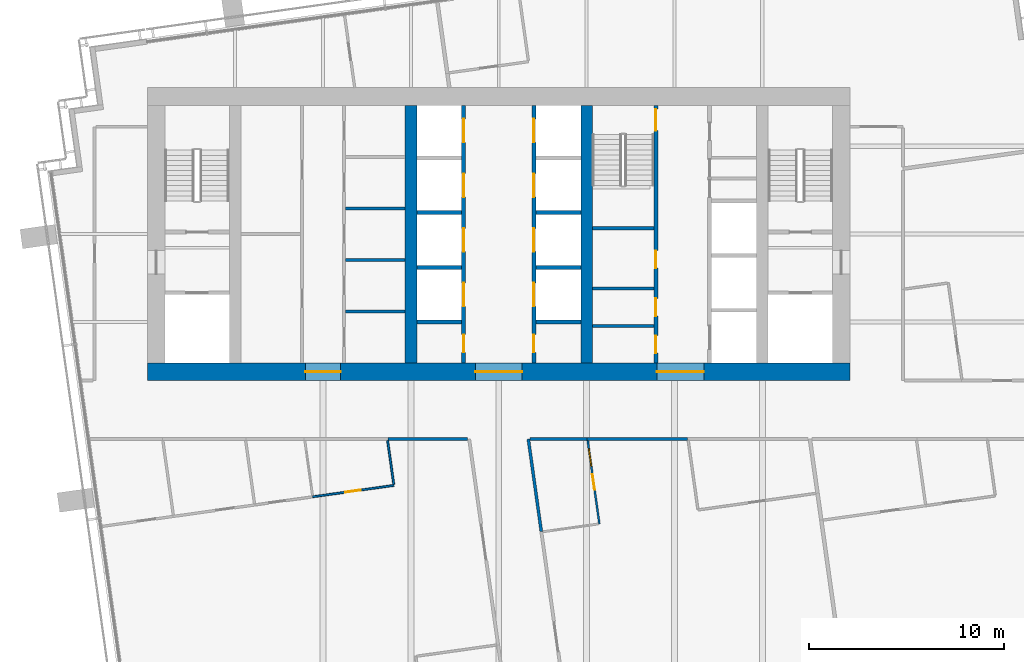
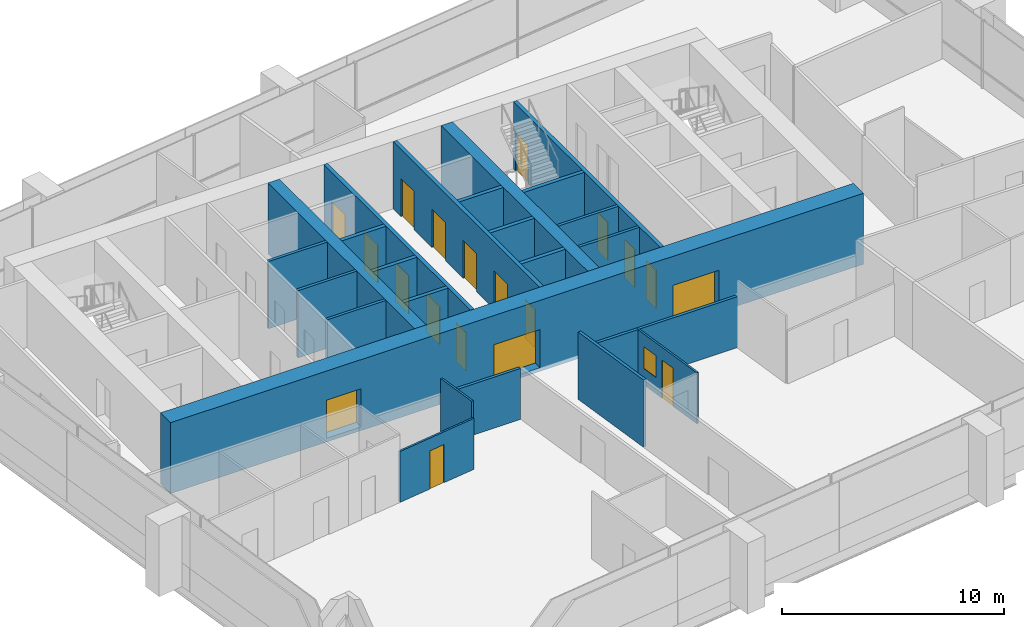
# One storey, part 10 of 18: 25 walls, 19 doors, 1 window, 20 openings.
"""IFC4 building model written with IfcOpenShell, lengths in metres."""

import ifcopenshell
import ifcopenshell.guid

model = None  # the IFC model being written
_history = None  # IfcOwnerHistory: only IFC2X3 demands one
_inside = {}  # id of a spatial element -> (the spatial element, [elements in it])
_under = {}  # id of a project, library or spatial element -> (it, [spatial elements below it])
_declared = {}  # id of a project -> (the project, [libraries it declares])
_typed = {}  # id of a type object -> (the type object, [elements of that type])
_made_of = {}  # id of a material, layer set ... -> (it, [elements and type objects made of it])


def new_model(schema):
    """Start an empty IFC model of exactly this schema.

    Asked for "IFC4X3", IfcOpenShell would pick the latest addendum, in which some entities
    have other attributes; the version numbers below select the first issue.
    IFC2X3 requires an IfcOwnerHistory on every rooted entity: one is made here for all.
    """
    global model, _history
    if schema == "IFC4X3":
        model = ifcopenshell.file(schema_version=(4, 3, 0, 0))
    else:
        model = ifcopenshell.file(schema=schema)
    _inside.clear()
    _under.clear()
    _declared.clear()
    _typed.clear()
    _made_of.clear()
    _history = None
    if model.schema == "IFC2X3":
        org = make("IfcOrganization", Name="unknown")
        user = make(
            "IfcPersonAndOrganization",
            ThePerson=make("IfcPerson", FamilyName="unknown"),
            TheOrganization=org,
        )
        app = make(
            "IfcApplication",
            ApplicationDeveloper=org,
            Version="unknown",
            ApplicationFullName="unknown",
            ApplicationIdentifier="unknown",
        )
        _history = make(
            "IfcOwnerHistory",
            OwningUser=user,
            OwningApplication=app,
            ChangeAction="ADDED",
            CreationDate=0,
        )
    return model


def make(cls, **values):
    """One entity of the class cls with the attributes given. An attribute that is None is left unset."""
    return model.create_entity(
        cls, **{name: value for name, value in values.items() if value is not None}
    )


def rooted(cls, **values):
    """An entity with a GlobalId (a new one), such as an element, a storey or a relation."""
    return make(cls, GlobalId=ifcopenshell.guid.new(), OwnerHistory=_history, **values)


def si_unit(unit_type, name, prefix=None):
    """IfcSIUnit, for example si_unit("LENGTHUNIT", "METRE", prefix="MILLI")."""
    return make("IfcSIUnit", UnitType=unit_type, Prefix=prefix, Name=name)


def assignment(units):
    """IfcUnitAssignment: the units of a project."""
    return None if units is None else make("IfcUnitAssignment", Units=units)


def point(xyz):
    """IfcCartesianPoint."""
    return None if xyz is None else make("IfcCartesianPoint", Coordinates=xyz)


def direction(xyz):
    """IfcDirection."""
    return None if xyz is None else make("IfcDirection", DirectionRatios=xyz)


def frame(location, z_axis=None, x_axis=None):
    """IfcAxis2Placement3D, a coordinate frame: its origin and axes. An axis left out is left unset."""
    return make(
        "IfcAxis2Placement3D",
        Location=point(location),
        Axis=direction(z_axis),
        RefDirection=direction(x_axis),
    )


def frame_2d(location, x_axis=None):
    """IfcAxis2Placement2D, a coordinate frame in the plane: its origin and x axis."""
    return make(
        "IfcAxis2Placement2D", Location=point(location), RefDirection=direction(x_axis)
    )


def origin():
    """The frame at (0, 0, 0) with its axes left unset."""
    return frame((0.0, 0.0, 0.0))


def place(relative_to, where):
    """IfcLocalPlacement: puts the frame where relative to a parent placement (None: the world)."""
    return make(
        "IfcLocalPlacement", PlacementRelTo=relative_to, RelativePlacement=where
    )


def context(
    kind, dimensions, precision=None, world=None, true_north=None, identifier=None
):
    """IfcGeometricRepresentationContext, for example the 3D "Model" context."""
    return make(
        "IfcGeometricRepresentationContext",
        ContextIdentifier=identifier,
        ContextType=kind,
        CoordinateSpaceDimension=dimensions,
        Precision=precision,
        WorldCoordinateSystem=world,
        TrueNorth=true_north,
    )


def subcontext(parent, identifier, kind, view, scale=None):
    """IfcGeometricRepresentationSubContext, for example "Body" below "Model"."""
    return make(
        "IfcGeometricRepresentationSubContext",
        ContextIdentifier=identifier,
        ContextType=kind,
        ParentContext=parent,
        TargetScale=scale,
        TargetView=view,
    )


def project(units=None, contexts=None):
    """IfcProject with its units and contexts."""
    return rooted(
        "IfcProject",
        Name="project",
        RepresentationContexts=contexts,
        UnitsInContext=assignment(units),
    )


def spatial(cls, under=None, at=None, **own):
    """A site, building, storey or space (cls), placed at a placement, below another one or the project."""
    s = rooted(cls, ObjectPlacement=at, **own)
    if under is not None:
        _under.setdefault(under.id(), (under, []))[1].append(s)
    return s


def profile(cls, at=None, kind="AREA", **sizes):
    """A parametric profile (cls). Its sizes go by their IFC names, for example OverallWidth=200.0."""
    return make(cls, ProfileType=kind, Position=at, **sizes)


def rectangle(**sizes):
    """IfcRectangleProfileDef."""
    return profile("IfcRectangleProfileDef", **sizes)


def extrude(swept, where, along, depth):
    """IfcExtrudedAreaSolid: the profile swept, set in the frame where, extruded along a direction by depth."""
    return make(
        "IfcExtrudedAreaSolid",
        SweptArea=swept,
        Position=where,
        ExtrudedDirection=direction(along),
        Depth=depth,
    )


def shape(context_of_items, identifier, shape_type, items):
    """IfcShapeRepresentation: the items that make up one representation, for example the "Body"."""
    return make(
        "IfcShapeRepresentation",
        ContextOfItems=context_of_items,
        RepresentationIdentifier=identifier,
        RepresentationType=shape_type,
        Items=items,
    )


def material(Name=None, Category=None):
    """IfcMaterial."""
    return make("IfcMaterial", Name=Name, Category=Category)


def layer(
    of_material, thickness, ventilated=None, Name=None, Category=None, Priority=None
):
    """IfcMaterialLayer: one layer of a wall or slab, of a material (None: an air gap)."""
    return make(
        "IfcMaterialLayer",
        Material=of_material,
        LayerThickness=thickness,
        IsVentilated=ventilated,
        Name=Name,
        Category=Category,
        Priority=Priority,
    )


def layer_set(layers, Name=None):
    """IfcMaterialLayerSet."""
    return make("IfcMaterialLayerSet", MaterialLayers=layers, LayerSetName=Name)


def made_of(thing, what):
    """Note that an element or type object is made of a material, layer set ...; save() writes the relation."""
    if what is not None:
        _made_of.setdefault(what.id(), (what, []))[1].append(thing)
    return thing


def type_object(cls, material=None, **own):
    """A type object (cls), such as IfcWallType, which elements share."""
    return made_of(rooted(cls, **own), material)


def element(
    cls,
    number,
    at=None,
    inside=None,
    cuts=None,
    type_object=None,
    material=None,
    context=None,
    identifier="Body",
    shape_type=None,
    held_by="IfcProductDefinitionShape",
    body=None,
    shapes=None,
    **own,
):
    """One element of the class cls, such as IfcWall. Its Tag is "e" and its number.

    at: its placement. inside: the storey or other place that contains it. cuts: it is an
    opening in that element (IfcRelVoidsElement). A single representation is given by context,
    identifier, shape_type and body (its items); several are given by shapes. held_by: the class
    of the entity that holds the representations. save() writes the other relations.
    """
    e = rooted(cls, Tag="e%d" % number, ObjectPlacement=at, **own)
    if body is not None:
        shapes = [shape(context, identifier, shape_type, body)]
    if shapes is not None:
        e.Representation = make(held_by, Representations=shapes)
    if inside is not None:
        _inside.setdefault(inside.id(), (inside, []))[1].append(e)
    if cuts is not None:
        rooted(
            "IfcRelVoidsElement", RelatingBuildingElement=cuts, RelatedOpeningElement=e
        )
    if type_object is not None:
        _typed.setdefault(type_object.id(), (type_object, []))[1].append(e)
    return made_of(e, material)


def fill(opening, filler):
    """IfcRelFillsElement: the door or window that sits in an opening."""
    return rooted(
        "IfcRelFillsElement",
        RelatingOpeningElement=opening,
        RelatedBuildingElement=filler,
    )


def aggregate(whole, parts):
    """IfcRelAggregates: a whole, such as a stair, and the parts it consists of."""
    return rooted("IfcRelAggregates", RelatingObject=whole, RelatedObjects=parts)


def save(model, path):
    """Write the relations noted so far, then the file.

    IfcRelAggregates (storeys below a building ...), IfcRelContainedInSpatialStructure (elements
    in a storey), IfcRelDefinesByType, IfcRelAssociatesMaterial and IfcRelDeclares: one each for
    every whole, place, type object, material and project.
    """
    for whole, parts in _under.values():
        aggregate(whole, parts)
    for where, things in _inside.values():
        rooted(
            "IfcRelContainedInSpatialStructure",
            RelatedElements=things,
            RelatingStructure=where,
        )
    for kind, things in _typed.values():
        rooted("IfcRelDefinesByType", RelatedObjects=things, RelatingType=kind)
    for what, things in _made_of.values():
        rooted("IfcRelAssociatesMaterial", RelatedObjects=things, RelatingMaterial=what)
    for by, libraries in _declared.values():
        rooted("IfcRelDeclares", RelatingContext=by, RelatedDefinitions=libraries)
    model.write(path)


model = new_model("IFC4")

# Units and contexts
model_context = context("Model", 3, precision=1e-05, world=origin(), true_north=direction((0.0, 1.0)))
body_context = subcontext(model_context, "Body", "Model", "MODEL_VIEW")
ifc_project = project(units=[si_unit("LENGTHUNIT", "METRE"), si_unit("AREAUNIT", "SQUARE_METRE"), si_unit("VOLUMEUNIT", "CUBIC_METRE"), si_unit("PLANEANGLEUNIT", "RADIAN"), si_unit("MASSUNIT", "GRAM", prefix="KILO")], contexts=[model_context])

# Site, building, storey
site_placement = place(None, origin())
site = spatial("IfcSite", under=ifc_project, at=site_placement, CompositionType="ELEMENT")
building_placement = place(site_placement, origin())
building = spatial("IfcBuilding", under=site, at=building_placement, Name="Rattan Terrace Tower", CompositionType="ELEMENT")
storey_placement = place(building_placement, frame((0.0, 0.0, 233.0)))
storey = spatial("IfcBuildingStorey", under=building, at=storey_placement, Name="L53", CompositionType="ELEMENT", Elevation=233.0)

# Walls
ifc_material_1 = material(Name="Gypsum board partition")
ifc_layer_1 = layer(ifc_material_1, 0.14990234375)
ifc_layer_set_1 = layer_set([ifc_layer_1], Name="Core partition 150")
wall_type_1 = type_object("IfcWallType", Name="Core partition 150", PredefinedType="PARTITIONING", material=ifc_layer_set_1)
for number, where, z_axis, x_axis, name in (
    (1, (-7.85009765625, -3.9599609375, 0.0), (0.0, 0.0, 1.0), (1.0, 0.0, 0.0), "Core room wall"),
    (2, (-7.85009765625, -1.320068359375, 0.0), (0.0, 0.0, 1.0), (1.0, 0.0, 0.0), "Core room wall"),
    (3, (-7.85009765625, 1.320068359375, 0.0), (0.0, 0.0, 1.0), (1.0, 0.0, 0.0), "Core room wall"),
):
    element("IfcWall", number, at=place(storey_placement, frame(where, z_axis=z_axis, x_axis=x_axis)), inside=storey, type_object=wall_type_1, Name=name, PredefinedType="PARTITIONING", context=body_context, shape_type="SweptSolid", body=[
        extrude(rectangle(XDim=3.050048828125, YDim=0.14990234375, at=frame_2d((1.52490234375, 0.0))), origin(), (0.0, 0.0, 1.0), 3.699951171875),
    ])
for number, where, z_axis, x_axis, name in (
    (4, (4.800048828125, -4.696044921875, 0.0), (0.0, 0.0, 1.0), (1.0, 0.0, 0.0), "Toilet wall"),
    (5, (4.800048828125, -2.7919921875, 0.0), (0.0, 0.0, 1.0), (1.0, 0.0, 0.0), "Toilet wall"),
):
    element("IfcWall", number, at=place(storey_placement, frame(where, z_axis=z_axis, x_axis=x_axis)), inside=storey, type_object=wall_type_1, Name=name, PredefinedType="PARTITIONING", context=body_context, shape_type="SweptSolid", body=[
        extrude(rectangle(XDim=3.14990234375, YDim=0.14990234375, at=frame_2d((1.574951171875, 0.0))), origin(), (0.0, 0.0, 1.0), 3.699951171875),
    ])

# Wall, openings, doors
ifc_material_2 = material(Name="Gypsum board partition")
ifc_layer_2 = layer(ifc_material_2, 0.199951171875)
ifc_layer_set_2 = layer_set([ifc_layer_2], Name="Core partition 200")
wall_type_2 = type_object("IfcWallType", Name="Core partition 200", PredefinedType="PARTITIONING", material=ifc_layer_set_2)
wall_1_placement = place(storey_placement, frame((8.050048828125, -6.60009765625, 0.0), z_axis=(0.0, 0.0, 1.0), x_axis=(0.0, 1.0, 0.0)))
wall_1 = element("IfcWall", 6, at=wall_1_placement, inside=storey, type_object=wall_type_2, Name="Lobby wall west", PredefinedType="PARTITIONING", context=body_context, shape_type="SweptSolid", body=[
    extrude(rectangle(XDim=13.2001953125, YDim=0.199951171875, at=frame_2d((6.60009765625, 0.0))), origin(), (0.0, 0.0, 1.0), 3.699951171875),
])
opening_1_placement = place(wall_1_placement, frame((0.501953125, 0.0, 0.0)))
opening_1 = element("IfcOpeningElement", 7, at=opening_1_placement, cuts=wall_1, Name="Opening L53-D016", PredefinedType="OPENING", context=body_context, shape_type="SweptSolid", body=[
    extrude(rectangle(XDim=0.89990234375, YDim=2.10009765625, at=frame_2d((0.449951171875, 1.050048828125))), frame((0.0, 0.110595703125, 0.0), z_axis=(0.0, -1.0, 0.0), x_axis=(1.0, 0.0, 0.0)), (0.0, 0.0, 1.0), 0.220947265625),
])
opening_2_placement = place(wall_1_placement, frame((2.406005859375, 0.0, 0.0)))
opening_2 = element("IfcOpeningElement", 8, at=opening_2_placement, cuts=wall_1, Name="Opening L53-D017", PredefinedType="OPENING", context=body_context, shape_type="SweptSolid", body=[
    extrude(rectangle(XDim=0.89990234375, YDim=2.10009765625, at=frame_2d((0.449951171875, 1.050048828125))), frame((0.0, 0.110595703125, 0.0), z_axis=(0.0, -1.0, 0.0), x_axis=(1.0, 0.0, 0.0)), (0.0, 0.0, 1.0), 0.220947265625),
])
opening_3_placement = place(wall_1_placement, frame((4.85400390625, 0.0, 0.0)))
opening_3 = element("IfcOpeningElement", 9, at=opening_3_placement, cuts=wall_1, Name="Opening L53-D018", PredefinedType="OPENING", context=body_context, shape_type="SweptSolid", body=[
    extrude(rectangle(XDim=0.89990234375, YDim=2.10009765625, at=frame_2d((0.449951171875, 1.050048828125))), frame((0.0, 0.110595703125, 0.0), z_axis=(0.0, -1.0, 0.0), x_axis=(1.0, 0.0, 0.0)), (0.0, 0.0, 1.0), 0.220947265625),
])
opening_4_placement = place(wall_1_placement, frame((11.89990234375, 0.0, 0.0)))
opening_4 = element("IfcOpeningElement", 10, at=opening_4_placement, cuts=wall_1, Name="Opening L53-D019", PredefinedType="OPENING", context=body_context, shape_type="SweptSolid", body=[
    extrude(rectangle(XDim=1.10009765625, YDim=2.10009765625, at=frame_2d((0.550048828125, 1.050048828125))), frame((0.0, 0.110595703125, 0.0), z_axis=(0.0, -1.0, 0.0), x_axis=(1.0, 0.0, 0.0)), (0.0, 0.0, 1.0), 0.220947265625),
])
ifc_material_3 = material(Name="Hollow-metal fire door leaf")
door_type_1 = type_object("IfcDoorType", Name="Core stair door 1100", OperationType="NOTDEFINED", PredefinedType="DOOR", material=ifc_material_3)
door_1_placement = place(opening_4_placement, origin())
door_1 = element("IfcDoor", 11, at=door_1_placement, inside=storey, type_object=door_type_1, Name="Door L53-D019", OperationType="SINGLE_SWING_RIGHT", OverallHeight=2.10009765625, OverallWidth=1.10009765625, PredefinedType="DOOR", context=body_context, shape_type="SweptSolid", body=[
    extrude(rectangle(XDim=1.10009765625, YDim=2.10009765625, at=frame_2d((0.550048828125, 1.050048828125))), frame((0.0, 0.02490234375, 0.0), z_axis=(0.0, -1.0, 0.0), x_axis=(1.0, 0.0, 0.0)), (0.0, 0.0, 1.0), 0.050048828125),
])
fill(opening_4, door_1)
ifc_material_4 = material(Name="Hollow-metal fire door leaf")
door_type_2 = type_object("IfcDoorType", Name="Core toilet door 900", OperationType="NOTDEFINED", PredefinedType="DOOR", material=ifc_material_4)
door_2_placement = place(opening_1_placement, origin())
door_2 = element("IfcDoor", 12, at=door_2_placement, inside=storey, type_object=door_type_2, Name="Door L53-D016", OperationType="SINGLE_SWING_LEFT", OverallHeight=2.10009765625, OverallWidth=0.89990234375, PredefinedType="DOOR", context=body_context, shape_type="SweptSolid", body=[
    extrude(rectangle(XDim=0.89990234375, YDim=2.10009765625, at=frame_2d((0.449951171875, 1.050048828125))), frame((0.0, 0.02490234375, 0.0), z_axis=(0.0, -1.0, 0.0), x_axis=(1.0, 0.0, 0.0)), (0.0, 0.0, 1.0), 0.050048828125),
])
fill(opening_1, door_2)
door_3_placement = place(opening_2_placement, origin())
door_3 = element("IfcDoor", 13, at=door_3_placement, inside=storey, type_object=door_type_2, Name="Door L53-D017", OperationType="SINGLE_SWING_RIGHT", OverallHeight=2.10009765625, OverallWidth=0.89990234375, PredefinedType="DOOR", context=body_context, shape_type="SweptSolid", body=[
    extrude(rectangle(XDim=0.89990234375, YDim=2.10009765625, at=frame_2d((0.449951171875, 1.050048828125))), frame((0.0, 0.02490234375, 0.0), z_axis=(0.0, -1.0, 0.0), x_axis=(1.0, 0.0, 0.0)), (0.0, 0.0, 1.0), 0.050048828125),
])
fill(opening_2, door_3)
door_4_placement = place(opening_3_placement, origin())
door_4 = element("IfcDoor", 14, at=door_4_placement, inside=storey, type_object=door_type_2, Name="Door L53-D018", OperationType="SINGLE_SWING_LEFT", OverallHeight=2.10009765625, OverallWidth=0.89990234375, PredefinedType="DOOR", context=body_context, shape_type="SweptSolid", body=[
    extrude(rectangle(XDim=0.89990234375, YDim=2.10009765625, at=frame_2d((0.449951171875, 1.050048828125))), frame((0.0, 0.02490234375, 0.0), z_axis=(0.0, -1.0, 0.0), x_axis=(1.0, 0.0, 0.0)), (0.0, 0.0, 1.0), 0.050048828125),
])
fill(opening_3, door_4)

# Wall
wall_2_placement = place(storey_placement, frame((4.800048828125, 0.300048828125, 0.0), z_axis=(0.0, 0.0, 1.0), x_axis=(1.0, 0.0, 0.0)))
element("IfcWall", 15, at=wall_2_placement, inside=storey, type_object=wall_type_2, Name="Stair enclosure wall", PredefinedType="PARTITIONING", context=body_context, shape_type="SweptSolid", body=[
    extrude(rectangle(XDim=3.14990234375, YDim=0.199951171875, at=frame_2d((1.574951171875, 0.0))), origin(), (0.0, 0.0, 1.0), 3.699951171875),
])

# Wall, openings, doors
ifc_material_5 = material(Name="Concrete C50/60", Category="concrete")
ifc_layer_3 = layer(ifc_material_5, 0.89990234375)
ifc_layer_set_3 = layer_set([ifc_layer_3], Name="Core ring wall 900 C50/60")
wall_type_3 = type_object("IfcWallType", Name="Core ring wall 900 C50/60", PredefinedType="SHEAR", material=ifc_layer_set_3)
wall_3_placement = place(storey_placement, frame((-18.0, -7.050048828125, -0.199951171875), z_axis=(0.0, 0.0, 1.0), x_axis=(1.0, 0.0, 0.0)))
wall_3 = element("IfcWall", 16, at=wall_3_placement, inside=storey, type_object=wall_type_3, Name="Rear core wall south", PredefinedType="SHEAR", context=body_context, shape_type="SweptSolid", body=[
    extrude(rectangle(XDim=36.0, YDim=0.89990234375, at=frame_2d((18.0, 0.0))), origin(), (0.0, 0.0, 1.0), 3.89990234375),
])
opening_5_placement = place(wall_3_placement, frame((8.10009765625, 0.0, 0.199951171875)))
opening_5 = element("IfcOpeningElement", 17, at=opening_5_placement, cuts=wall_3, Name="Opening L53-D012", PredefinedType="OPENING", context=body_context, shape_type="SweptSolid", body=[
    extrude(rectangle(XDim=1.800048828125, YDim=2.10009765625, at=frame_2d((0.89990234375, 1.050048828125))), frame((0.0, 0.46044921875, 0.0), z_axis=(0.0, -1.0, 0.0), x_axis=(1.0, 0.0, 0.0)), (0.0, 0.0, 1.0), 0.9208984375),
])
opening_6_placement = place(wall_3_placement, frame((16.800048828125, 0.0, 0.199951171875)))
opening_6 = element("IfcOpeningElement", 18, at=opening_6_placement, cuts=wall_3, Name="Opening L53-D015", PredefinedType="OPENING", context=body_context, shape_type="SweptSolid", body=[
    extrude(rectangle(XDim=2.39990234375, YDim=2.10009765625, at=frame_2d((1.199951171875, 1.050048828125))), frame((0.0, 0.46044921875, 0.0), z_axis=(0.0, -1.0, 0.0), x_axis=(1.0, 0.0, 0.0)), (0.0, 0.0, 1.0), 0.9208984375),
])
opening_7_placement = place(wall_3_placement, frame((26.10009765625, 0.0, 0.199951171875)))
opening_7 = element("IfcOpeningElement", 19, at=opening_7_placement, cuts=wall_3, Name="Opening L53-D020", PredefinedType="OPENING", context=body_context, shape_type="SweptSolid", body=[
    extrude(rectangle(XDim=2.39990234375, YDim=2.10009765625, at=frame_2d((1.199951171875, 1.050048828125))), frame((0.0, 0.46044921875, 0.0), z_axis=(0.0, -1.0, 0.0), x_axis=(1.0, 0.0, 0.0)), (0.0, 0.0, 1.0), 0.9208984375),
])
ifc_material_6 = material(Name="Hollow-metal fire door leaf")
door_type_3 = type_object("IfcDoorType", Name="Core lift lobby door 2400", OperationType="NOTDEFINED", PredefinedType="DOOR", material=ifc_material_6)
door_5_placement = place(opening_6_placement, origin())
door_5 = element("IfcDoor", 20, at=door_5_placement, inside=storey, type_object=door_type_3, Name="Door L53-D015", OperationType="DOUBLE_DOOR_DOUBLE_SWING", OverallHeight=2.10009765625, OverallWidth=2.39990234375, PredefinedType="DOOR", context=body_context, shape_type="SweptSolid", body=[
    extrude(rectangle(XDim=2.39990234375, YDim=2.10009765625, at=frame_2d((1.199951171875, 1.050048828125))), frame((0.0, 0.02490234375, 0.0), z_axis=(0.0, -1.0, 0.0), x_axis=(1.0, 0.0, 0.0)), (0.0, 0.0, 1.0), 0.050048828125),
])
fill(opening_6, door_5)
door_6_placement = place(opening_7_placement, origin())
door_6 = element("IfcDoor", 21, at=door_6_placement, inside=storey, type_object=door_type_3, Name="Door L53-D020", OperationType="DOUBLE_DOOR_DOUBLE_SWING", OverallHeight=2.10009765625, OverallWidth=2.39990234375, PredefinedType="DOOR", context=body_context, shape_type="SweptSolid", body=[
    extrude(rectangle(XDim=2.39990234375, YDim=2.10009765625, at=frame_2d((1.199951171875, 1.050048828125))), frame((0.0, 0.02490234375, 0.0), z_axis=(0.0, -1.0, 0.0), x_axis=(1.0, 0.0, 0.0)), (0.0, 0.0, 1.0), 0.050048828125),
])
fill(opening_7, door_6)
ifc_material_7 = material(Name="Hollow-metal fire door leaf")
door_type_4 = type_object("IfcDoorType", Name="Core service room door 1800", OperationType="NOTDEFINED", PredefinedType="DOOR", material=ifc_material_7)
door_7_placement = place(opening_5_placement, origin())
door_7 = element("IfcDoor", 22, at=door_7_placement, inside=storey, type_object=door_type_4, Name="Door L53-D012", OperationType="SINGLE_SWING_RIGHT", OverallHeight=2.10009765625, OverallWidth=1.800048828125, PredefinedType="DOOR", context=body_context, shape_type="SweptSolid", body=[
    extrude(rectangle(XDim=1.800048828125, YDim=2.10009765625, at=frame_2d((0.89990234375, 1.050048828125))), frame((0.0, 0.02490234375, 0.0), z_axis=(0.0, -1.0, 0.0), x_axis=(1.0, 0.0, 0.0)), (0.0, 0.0, 1.0), 0.050048828125),
])
fill(opening_5, door_7)

# Walls
ifc_material_8 = material(Name="Concrete C50/60", Category="concrete")
ifc_layer_4 = layer(ifc_material_8, 0.60009765625)
ifc_layer_set_4 = layer_set([ifc_layer_4], Name="Core spine wall 600 C50/60")
wall_type_4 = type_object("IfcWallType", Name="Core spine wall 600 C50/60", PredefinedType="SHEAR", material=ifc_layer_set_4)
for number, where, z_axis, x_axis, name in (
    (23, (-4.5, -6.60009765625, -0.199951171875), (0.0, 0.0, 1.0), (0.0, 1.0, 0.0), "Core spine wall 2"),
    (24, (4.5, -6.60009765625, -0.199951171875), (0.0, 0.0, 1.0), (0.0, 1.0, 0.0), "Core spine wall 3"),
):
    element("IfcWall", number, at=place(storey_placement, frame(where, z_axis=z_axis, x_axis=x_axis)), inside=storey, type_object=wall_type_4, Name=name, PredefinedType="SHEAR", context=body_context, shape_type="SweptSolid", body=[
        extrude(rectangle(XDim=13.2001953125, YDim=0.60009765625, at=frame_2d((6.60009765625, 0.0))), origin(), (0.0, 0.0, 1.0), 3.89990234375),
    ])

# Wall, opening, door
ifc_material_9 = material(Name="Gypsum board partition on steel studs", Category="steel")
ifc_layer_5 = layer(ifc_material_9, 0.10009765625)
ifc_layer_set_5 = layer_set([ifc_layer_5], Name="Floors Partition 100")
wall_type_5 = type_object("IfcWallType", Name="Floors Partition 100", PredefinedType="PARTITIONING", material=ifc_layer_set_5)
wall_4_placement = place(storey_placement, frame((-9.549072265625, -13.4560546875, 0.0), z_axis=(0.0, 0.0, 1.0), x_axis=(0.99027315077, 0.139136935655, 0.0)))
wall_4 = element("IfcWall", 25, at=wall_4_placement, inside=storey, type_object=wall_type_5, Name="pt-L53-030", PredefinedType="PARTITIONING", context=body_context, shape_type="SweptSolid", body=[
    extrude(rectangle(XDim=4.219970703125, YDim=0.10009765625, at=frame_2d((2.10986328125, 0.0))), origin(), (0.0, 0.0, 1.0), 2.800048828125),
])
opening_8_placement = place(wall_4_placement, frame((1.7099609375, 0.0, 0.0)))
opening_8 = element("IfcOpeningElement", 26, at=opening_8_placement, cuts=wall_4, Name="Opening L53-D105", PredefinedType="OPENING", context=body_context, shape_type="SweptSolid", body=[
    extrude(rectangle(XDim=0.800048828125, YDim=2.10009765625, at=frame_2d((0.39990234375, 1.050048828125))), frame((0.0, 0.060546875, 0.0), z_axis=(0.0, -1.0, 0.0), x_axis=(1.0, 0.0, 0.0)), (0.0, 0.0, 1.0), 0.12109375),
])
ifc_material_10 = material(Name="Solid core timber door, painted", Category="wood")
door_type_5 = type_object("IfcDoorType", Name="Floors Store Door 800x2100", OperationType="NOTDEFINED", PredefinedType="DOOR", material=ifc_material_10)
door_8_placement = place(opening_8_placement, origin())
door_8 = element("IfcDoor", 27, at=door_8_placement, inside=storey, type_object=door_type_5, Name="d-L53-105", OperationType="SINGLE_SWING_RIGHT", OverallHeight=2.10009765625, OverallWidth=0.800048828125, PredefinedType="DOOR", context=body_context, shape_type="SweptSolid", body=[
    extrude(rectangle(XDim=0.800048828125, YDim=2.10009765625, at=frame_2d((0.39990234375, 1.050048828125))), frame((0.0, 0.02490234375, 0.0), z_axis=(0.0, -1.0, 0.0), x_axis=(1.0, 0.0, 0.0)), (0.0, 0.0, 1.0), 0.050048828125),
])
fill(opening_8, door_8)

# Wall
wall_5_placement = place(storey_placement, frame((-5.376953125, -12.819091796875, 0.0), z_axis=(0.0, 0.0, 1.0), x_axis=(-0.139090262588, 0.990279707382, 0.0)))
element("IfcWall", 28, at=wall_5_placement, inside=storey, type_object=wall_type_5, Name="pt-L53-031", PredefinedType="PARTITIONING", context=body_context, shape_type="SweptSolid", body=[
    extrude(rectangle(XDim=2.273193359375, YDim=0.10009765625, at=frame_2d((1.13671875, 0.0))), origin(), (0.0, 0.0, 1.0), 3.699951171875),
])

# Wall, openings, door, window
wall_6_placement = place(storey_placement, frame((5.154052734375, -14.8359375, 0.0), z_axis=(0.0, 0.0, 1.0), x_axis=(-0.139240076126, 0.990258653686, 0.0)))
wall_6 = element("IfcWall", 29, at=wall_6_placement, inside=storey, type_object=wall_type_5, Name="pt-L53-036", PredefinedType="PARTITIONING", context=body_context, shape_type="SweptSolid", body=[
    extrude(rectangle(XDim=4.309814453125, YDim=0.10009765625, at=frame_2d((2.15478515625, 0.0))), origin(), (0.0, 0.0, 1.0), 2.800048828125),
])
opening_9_placement = place(wall_6_placement, frame((1.7548828125, 0.0, 0.0)))
opening_9 = element("IfcOpeningElement", 30, at=opening_9_placement, cuts=wall_6, Name="Opening L53-D107", PredefinedType="OPENING", context=body_context, shape_type="SweptSolid", body=[
    extrude(rectangle(XDim=0.800048828125, YDim=2.10009765625, at=frame_2d((0.39990234375, 1.050048828125))), frame((0.0, 0.060546875, 0.0), z_axis=(0.0, -1.0, 0.0), x_axis=(1.0, 0.0, 0.0)), (0.0, 0.0, 1.0), 0.12109375),
])
opening_10_placement = place(wall_6_placement, frame((2.97412109375, 0.0, 0.89990234375)))
opening_10 = element("IfcOpeningElement", 31, at=opening_10_placement, cuts=wall_6, Name="Opening L53-W102", PredefinedType="OPENING", context=body_context, shape_type="SweptSolid", body=[
    extrude(rectangle(XDim=0.89990234375, YDim=1.199951171875, at=frame_2d((0.449951171875, 0.60009765625))), frame((0.0, 0.060546875, 0.0), z_axis=(0.0, -1.0, 0.0), x_axis=(1.0, 0.0, 0.0)), (0.0, 0.0, 1.0), 0.12109375),
])
door_9_placement = place(opening_9_placement, origin())
door_9 = element("IfcDoor", 32, at=door_9_placement, inside=storey, type_object=door_type_5, Name="d-L53-107", OperationType="SINGLE_SWING_RIGHT", OverallHeight=2.10009765625, OverallWidth=0.800048828125, PredefinedType="DOOR", context=body_context, shape_type="SweptSolid", body=[
    extrude(rectangle(XDim=0.800048828125, YDim=2.10009765625, at=frame_2d((0.39990234375, 1.050048828125))), frame((0.0, 0.02490234375, 0.0), z_axis=(0.0, -1.0, 0.0), x_axis=(1.0, 0.0, 0.0)), (0.0, 0.0, 1.0), 0.050048828125),
])
fill(opening_9, door_9)
ifc_material_11 = material(Name="Glass, clear, fixed in aluminium frame", Category="aluminium")
window_type = type_object("IfcWindowType", Name="Interior Vision Window 900x1200", PartitioningType="SINGLE_PANEL", PredefinedType="WINDOW", material=ifc_material_11)
window_placement = place(opening_10_placement, origin())
window = element("IfcWindow", 33, at=window_placement, inside=storey, type_object=window_type, Name="w-L53-102", OverallHeight=1.199951171875, OverallWidth=0.89990234375, PartitioningType="SINGLE_PANEL", PredefinedType="WINDOW", context=body_context, shape_type="SweptSolid", body=[
    extrude(rectangle(XDim=0.89990234375, YDim=1.199951171875, at=frame_2d((0.449951171875, 0.60009765625))), frame((0.0, 0.030029296875, 0.0), z_axis=(0.0, -1.0, 0.0), x_axis=(1.0, 0.0, 0.0)), (0.0, 0.0, 1.0), 0.06005859375),
])
fill(opening_10, window)

# Walls
ifc_material_12 = material(Name="Gypsum board partition on steel studs, fire rated", Category="steel")
ifc_layer_6 = layer(ifc_material_12, 0.14990234375)
ifc_layer_set_6 = layer_set([ifc_layer_6], Name="Floors Tenancy Wall 150")
wall_type_6 = type_object("IfcWallType", Name="Floors Tenancy Wall 150", PredefinedType="PARTITIONING", material=ifc_layer_set_6)
wall_7_placement = place(storey_placement, frame((-1.589111328125, -10.5, 0.0), z_axis=(0.0, 0.0, 1.0), x_axis=(-1.0, 0.0, 0.0)))
element("IfcWall", 34, at=wall_7_placement, inside=storey, type_object=wall_type_6, Name="pt-L53-001", PredefinedType="PARTITIONING", context=body_context, shape_type="SweptSolid", body=[
    extrude(rectangle(XDim=4.093994140625, YDim=0.14990234375, at=frame_2d((2.046875, 0.0))), origin(), (0.0, 0.0, 1.0), 2.800048828125),
])
wall_8_placement = place(storey_placement, frame((9.675048828125, -10.5, 0.0), z_axis=(0.0, 0.0, 1.0), x_axis=(-1.0, 0.0, 0.0)))
element("IfcWall", 35, at=wall_8_placement, inside=storey, type_object=wall_type_6, Name="pt-L53-009", PredefinedType="PARTITIONING", context=body_context, shape_type="SweptSolid", body=[
    extrude(rectangle(XDim=5.151123046875, YDim=0.14990234375, at=frame_2d((2.57568359375, 0.0))), origin(), (0.0, 0.0, 1.0), 2.800048828125),
])
wall_9_placement = place(storey_placement, frame((1.514892578125, -10.5, 0.0), z_axis=(0.0, 0.0, 1.0), x_axis=(0.139146821365, -0.990271761742, 0.0)))
element("IfcWall", 36, at=wall_9_placement, inside=storey, type_object=wall_type_6, Name="pt-L53-010", PredefinedType="PARTITIONING", context=body_context, shape_type="SweptSolid", body=[
    extrude(rectangle(XDim=4.779296875, YDim=0.14990234375, at=frame_2d((2.3896484375, 0.0))), origin(), (0.0, 0.0, 1.0), 3.699951171875),
])
wall_10_placement = place(storey_placement, frame((4.52392578125, -10.4990234375, 0.0), z_axis=(0.0, 0.0, 1.0), x_axis=(-1.0, 0.0, 0.0)))
element("IfcWall", 37, at=wall_10_placement, inside=storey, type_object=wall_type_6, Name="pt-L53-011", PredefinedType="PARTITIONING", context=body_context, shape_type="SweptSolid", body=[
    extrude(rectangle(XDim=2.9228515625, YDim=0.14990234375, at=frame_2d((1.46142578125, 0.0))), origin(), (0.0, 0.0, 1.0), 2.800048828125),
])

# Wall, openings, doors
ifc_material_13 = material(Name="Gypsum shaft wall system")
ifc_layer_7 = layer(ifc_material_13, 0.199951171875)
ifc_layer_set_7 = layer_set([ifc_layer_7], Name="Lift shaft wall 200")
wall_type_7 = type_object("IfcWallType", Name="Lift shaft wall 200", PredefinedType="PARTITIONING", material=ifc_layer_set_7)
wall_11_placement = place(storey_placement, frame((-1.800048828125, -6.60009765625, 0.0), z_axis=(0.0, 0.0, 1.0), x_axis=(0.0, 1.0, 0.0)))
wall_11 = element("IfcWall", 38, at=wall_11_placement, inside=storey, type_object=wall_type_7, Name="Lift shaft front wall", PredefinedType="PARTITIONING", context=body_context, shape_type="SweptSolid", body=[
    extrude(rectangle(XDim=13.2001953125, YDim=0.199951171875, at=frame_2d((6.60009765625, 0.0))), origin(), (0.0, 0.0, 1.0), 3.699951171875),
])
opening_11_placement = place(wall_11_placement, frame((0.550048828125, 0.0, 0.0)))
opening_11 = element("IfcOpeningElement", 39, at=opening_11_placement, cuts=wall_11, Name="Opening L53-D013", PredefinedType="OPENING", context=body_context, shape_type="SweptSolid", body=[
    extrude(rectangle(XDim=0.89990234375, YDim=2.10009765625, at=frame_2d((0.449951171875, 1.050048828125))), frame((0.0, 0.110595703125, 0.0), z_axis=(0.0, -1.0, 0.0), x_axis=(1.0, 0.0, 0.0)), (0.0, 0.0, 1.0), 0.220947265625),
])
opening_12_placement = place(wall_11_placement, frame((2.89990234375, 0.0, 0.0)))
opening_12 = element("IfcOpeningElement", 40, at=opening_12_placement, cuts=wall_11, Name="Opening L53-LD-HR1", PredefinedType="OPENING", context=body_context, shape_type="SweptSolid", body=[
    extrude(rectangle(XDim=1.199951171875, YDim=2.10009765625, at=frame_2d((0.60009765625, 1.050048828125))), frame((0.0, 0.110595703125, 0.0), z_axis=(0.0, -1.0, 0.0), x_axis=(1.0, 0.0, 0.0)), (0.0, 0.0, 1.0), 0.220947265625),
])
opening_13_placement = place(wall_11_placement, frame((5.699951171875, 0.0, 0.0)))
opening_13 = element("IfcOpeningElement", 41, at=opening_13_placement, cuts=wall_11, Name="Opening L53-LD-HR2", PredefinedType="OPENING", context=body_context, shape_type="SweptSolid", body=[
    extrude(rectangle(XDim=1.199951171875, YDim=2.10009765625, at=frame_2d((0.60009765625, 1.050048828125))), frame((0.0, 0.110595703125, 0.0), z_axis=(0.0, -1.0, 0.0), x_axis=(1.0, 0.0, 0.0)), (0.0, 0.0, 1.0), 0.220947265625),
])
opening_14_placement = place(wall_11_placement, frame((8.5, 0.0, 0.0)))
opening_14 = element("IfcOpeningElement", 42, at=opening_14_placement, cuts=wall_11, Name="Opening L53-LD-HR3", PredefinedType="OPENING", context=body_context, shape_type="SweptSolid", body=[
    extrude(rectangle(XDim=1.199951171875, YDim=2.10009765625, at=frame_2d((0.60009765625, 1.050048828125))), frame((0.0, 0.110595703125, 0.0), z_axis=(0.0, -1.0, 0.0), x_axis=(1.0, 0.0, 0.0)), (0.0, 0.0, 1.0), 0.220947265625),
])
opening_15_placement = place(wall_11_placement, frame((11.300048828125, 0.0, 0.0)))
opening_15 = element("IfcOpeningElement", 43, at=opening_15_placement, cuts=wall_11, Name="Opening L53-LD-HR4", PredefinedType="OPENING", context=body_context, shape_type="SweptSolid", body=[
    extrude(rectangle(XDim=1.199951171875, YDim=2.10009765625, at=frame_2d((0.60009765625, 1.050048828125))), frame((0.0, 0.110595703125, 0.0), z_axis=(0.0, -1.0, 0.0), x_axis=(1.0, 0.0, 0.0)), (0.0, 0.0, 1.0), 0.220947265625),
])
ifc_material_14 = material(Name="Brushed stainless landing door panel")
door_type_6 = type_object("IfcDoorType", Name="Core lift landing door 1200", OperationType="DOUBLE_DOOR_SLIDING", PredefinedType="DOOR", material=ifc_material_14)
door_10_placement = place(opening_12_placement, origin())
door_10 = element("IfcDoor", 44, at=door_10_placement, inside=storey, type_object=door_type_6, Name="Door L53-LD-HR1", OperationType="DOUBLE_DOOR_SLIDING", OverallHeight=2.10009765625, OverallWidth=1.199951171875, PredefinedType="DOOR", context=body_context, shape_type="SweptSolid", body=[
    extrude(rectangle(XDim=1.199951171875, YDim=2.10009765625, at=frame_2d((0.60009765625, 1.050048828125))), frame((0.0, 0.02490234375, 0.0), z_axis=(0.0, -1.0, 0.0), x_axis=(1.0, 0.0, 0.0)), (0.0, 0.0, 1.0), 0.050048828125),
])
fill(opening_12, door_10)
door_11_placement = place(opening_13_placement, origin())
door_11 = element("IfcDoor", 45, at=door_11_placement, inside=storey, type_object=door_type_6, Name="Door L53-LD-HR2", OperationType="DOUBLE_DOOR_SLIDING", OverallHeight=2.10009765625, OverallWidth=1.199951171875, PredefinedType="DOOR", context=body_context, shape_type="SweptSolid", body=[
    extrude(rectangle(XDim=1.199951171875, YDim=2.10009765625, at=frame_2d((0.60009765625, 1.050048828125))), frame((0.0, 0.02490234375, 0.0), z_axis=(0.0, -1.0, 0.0), x_axis=(1.0, 0.0, 0.0)), (0.0, 0.0, 1.0), 0.050048828125),
])
fill(opening_13, door_11)
door_12_placement = place(opening_14_placement, origin())
door_12 = element("IfcDoor", 46, at=door_12_placement, inside=storey, type_object=door_type_6, Name="Door L53-LD-HR3", OperationType="DOUBLE_DOOR_SLIDING", OverallHeight=2.10009765625, OverallWidth=1.199951171875, PredefinedType="DOOR", context=body_context, shape_type="SweptSolid", body=[
    extrude(rectangle(XDim=1.199951171875, YDim=2.10009765625, at=frame_2d((0.60009765625, 1.050048828125))), frame((0.0, 0.02490234375, 0.0), z_axis=(0.0, -1.0, 0.0), x_axis=(1.0, 0.0, 0.0)), (0.0, 0.0, 1.0), 0.050048828125),
])
fill(opening_14, door_12)
door_13_placement = place(opening_15_placement, origin())
door_13 = element("IfcDoor", 47, at=door_13_placement, inside=storey, type_object=door_type_6, Name="Door L53-LD-HR4", OperationType="DOUBLE_DOOR_SLIDING", OverallHeight=2.10009765625, OverallWidth=1.199951171875, PredefinedType="DOOR", context=body_context, shape_type="SweptSolid", body=[
    extrude(rectangle(XDim=1.199951171875, YDim=2.10009765625, at=frame_2d((0.60009765625, 1.050048828125))), frame((0.0, 0.02490234375, 0.0), z_axis=(0.0, -1.0, 0.0), x_axis=(1.0, 0.0, 0.0)), (0.0, 0.0, 1.0), 0.050048828125),
])
fill(opening_15, door_13)
ifc_material_15 = material(Name="Hollow-metal fire door leaf")
door_type_7 = type_object("IfcDoorType", Name="Core riser door 900", OperationType="NOTDEFINED", PredefinedType="DOOR", material=ifc_material_15)
door_14_placement = place(opening_11_placement, origin())
door_14 = element("IfcDoor", 48, at=door_14_placement, inside=storey, type_object=door_type_7, Name="Door L53-D013", OperationType="SINGLE_SWING_LEFT", OverallHeight=2.10009765625, OverallWidth=0.89990234375, PredefinedType="DOOR", context=body_context, shape_type="SweptSolid", body=[
    extrude(rectangle(XDim=0.89990234375, YDim=2.10009765625, at=frame_2d((0.449951171875, 1.050048828125))), frame((0.0, 0.02490234375, 0.0), z_axis=(0.0, -1.0, 0.0), x_axis=(1.0, 0.0, 0.0)), (0.0, 0.0, 1.0), 0.050048828125),
])
fill(opening_11, door_14)

wall_12_placement = place(storey_placement, frame((1.800048828125, -6.60009765625, 0.0), z_axis=(0.0, 0.0, 1.0), x_axis=(0.0, 1.0, 0.0)))
wall_12 = element("IfcWall", 49, at=wall_12_placement, inside=storey, type_object=wall_type_7, Name="Lift shaft front wall", PredefinedType="PARTITIONING", context=body_context, shape_type="SweptSolid", body=[
    extrude(rectangle(XDim=13.2001953125, YDim=0.199951171875, at=frame_2d((6.60009765625, 0.0))), origin(), (0.0, 0.0, 1.0), 3.699951171875),
])
opening_16_placement = place(wall_12_placement, frame((0.550048828125, 0.0, 0.0)))
opening_16 = element("IfcOpeningElement", 50, at=opening_16_placement, cuts=wall_12, Name="Opening L53-D014", PredefinedType="OPENING", context=body_context, shape_type="SweptSolid", body=[
    extrude(rectangle(XDim=0.89990234375, YDim=2.10009765625, at=frame_2d((0.449951171875, 1.050048828125))), frame((0.0, 0.110595703125, 0.0), z_axis=(0.0, -1.0, 0.0), x_axis=(1.0, 0.0, 0.0)), (0.0, 0.0, 1.0), 0.220947265625),
])
opening_17_placement = place(wall_12_placement, frame((2.89990234375, 0.0, 0.0)))
opening_17 = element("IfcOpeningElement", 51, at=opening_17_placement, cuts=wall_12, Name="Opening L53-LD-HR5", PredefinedType="OPENING", context=body_context, shape_type="SweptSolid", body=[
    extrude(rectangle(XDim=1.199951171875, YDim=2.10009765625, at=frame_2d((0.60009765625, 1.050048828125))), frame((0.0, 0.110595703125, 0.0), z_axis=(0.0, -1.0, 0.0), x_axis=(1.0, 0.0, 0.0)), (0.0, 0.0, 1.0), 0.220947265625),
])
opening_18_placement = place(wall_12_placement, frame((5.699951171875, 0.0, 0.0)))
opening_18 = element("IfcOpeningElement", 52, at=opening_18_placement, cuts=wall_12, Name="Opening L53-LD-HR6", PredefinedType="OPENING", context=body_context, shape_type="SweptSolid", body=[
    extrude(rectangle(XDim=1.199951171875, YDim=2.10009765625, at=frame_2d((0.60009765625, 1.050048828125))), frame((0.0, 0.110595703125, 0.0), z_axis=(0.0, -1.0, 0.0), x_axis=(1.0, 0.0, 0.0)), (0.0, 0.0, 1.0), 0.220947265625),
])
opening_19_placement = place(wall_12_placement, frame((8.5, 0.0, 0.0)))
opening_19 = element("IfcOpeningElement", 53, at=opening_19_placement, cuts=wall_12, Name="Opening L53-LD-HR7", PredefinedType="OPENING", context=body_context, shape_type="SweptSolid", body=[
    extrude(rectangle(XDim=1.199951171875, YDim=2.10009765625, at=frame_2d((0.60009765625, 1.050048828125))), frame((0.0, 0.110595703125, 0.0), z_axis=(0.0, -1.0, 0.0), x_axis=(1.0, 0.0, 0.0)), (0.0, 0.0, 1.0), 0.220947265625),
])
opening_20_placement = place(wall_12_placement, frame((11.300048828125, 0.0, 0.0)))
opening_20 = element("IfcOpeningElement", 54, at=opening_20_placement, cuts=wall_12, Name="Opening L53-LD-HR8", PredefinedType="OPENING", context=body_context, shape_type="SweptSolid", body=[
    extrude(rectangle(XDim=1.199951171875, YDim=2.10009765625, at=frame_2d((0.60009765625, 1.050048828125))), frame((0.0, 0.110595703125, 0.0), z_axis=(0.0, -1.0, 0.0), x_axis=(1.0, 0.0, 0.0)), (0.0, 0.0, 1.0), 0.220947265625),
])
door_15_placement = place(opening_17_placement, origin())
door_15 = element("IfcDoor", 55, at=door_15_placement, inside=storey, type_object=door_type_6, Name="Door L53-LD-HR5", OperationType="DOUBLE_DOOR_SLIDING", OverallHeight=2.10009765625, OverallWidth=1.199951171875, PredefinedType="DOOR", context=body_context, shape_type="SweptSolid", body=[
    extrude(rectangle(XDim=1.199951171875, YDim=2.10009765625, at=frame_2d((0.60009765625, 1.050048828125))), frame((0.0, 0.02490234375, 0.0), z_axis=(0.0, -1.0, 0.0), x_axis=(1.0, 0.0, 0.0)), (0.0, 0.0, 1.0), 0.050048828125),
])
fill(opening_17, door_15)
door_16_placement = place(opening_18_placement, origin())
door_16 = element("IfcDoor", 56, at=door_16_placement, inside=storey, type_object=door_type_6, Name="Door L53-LD-HR6", OperationType="DOUBLE_DOOR_SLIDING", OverallHeight=2.10009765625, OverallWidth=1.199951171875, PredefinedType="DOOR", context=body_context, shape_type="SweptSolid", body=[
    extrude(rectangle(XDim=1.199951171875, YDim=2.10009765625, at=frame_2d((0.60009765625, 1.050048828125))), frame((0.0, 0.02490234375, 0.0), z_axis=(0.0, -1.0, 0.0), x_axis=(1.0, 0.0, 0.0)), (0.0, 0.0, 1.0), 0.050048828125),
])
fill(opening_18, door_16)
door_17_placement = place(opening_19_placement, origin())
door_17 = element("IfcDoor", 57, at=door_17_placement, inside=storey, type_object=door_type_6, Name="Door L53-LD-HR7", OperationType="DOUBLE_DOOR_SLIDING", OverallHeight=2.10009765625, OverallWidth=1.199951171875, PredefinedType="DOOR", context=body_context, shape_type="SweptSolid", body=[
    extrude(rectangle(XDim=1.199951171875, YDim=2.10009765625, at=frame_2d((0.60009765625, 1.050048828125))), frame((0.0, 0.02490234375, 0.0), z_axis=(0.0, -1.0, 0.0), x_axis=(1.0, 0.0, 0.0)), (0.0, 0.0, 1.0), 0.050048828125),
])
fill(opening_19, door_17)
door_18_placement = place(opening_20_placement, origin())
door_18 = element("IfcDoor", 58, at=door_18_placement, inside=storey, type_object=door_type_6, Name="Door L53-LD-HR8", OperationType="DOUBLE_DOOR_SLIDING", OverallHeight=2.10009765625, OverallWidth=1.199951171875, PredefinedType="DOOR", context=body_context, shape_type="SweptSolid", body=[
    extrude(rectangle(XDim=1.199951171875, YDim=2.10009765625, at=frame_2d((0.60009765625, 1.050048828125))), frame((0.0, 0.02490234375, 0.0), z_axis=(0.0, -1.0, 0.0), x_axis=(1.0, 0.0, 0.0)), (0.0, 0.0, 1.0), 0.050048828125),
])
fill(opening_20, door_18)
door_19_placement = place(opening_16_placement, origin())
door_19 = element("IfcDoor", 59, at=door_19_placement, inside=storey, type_object=door_type_7, Name="Door L53-D014", OperationType="SINGLE_SWING_RIGHT", OverallHeight=2.10009765625, OverallWidth=0.89990234375, PredefinedType="DOOR", context=body_context, shape_type="SweptSolid", body=[
    extrude(rectangle(XDim=0.89990234375, YDim=2.10009765625, at=frame_2d((0.449951171875, 1.050048828125))), frame((0.0, 0.02490234375, 0.0), z_axis=(0.0, -1.0, 0.0), x_axis=(1.0, 0.0, 0.0)), (0.0, 0.0, 1.0), 0.050048828125),
])
fill(opening_16, door_19)

# Walls
for number, where, z_axis, x_axis, name in (
    (60, (-4.199951171875, -1.699951171875, 0.0), (0.0, 0.0, 1.0), (1.0, 0.0, 0.0), "Lift shaft wall"),
    (61, (-4.199951171875, 1.10009765625, 0.0), (0.0, 0.0, 1.0), (1.0, 0.0, 0.0), "Lift shaft wall"),
    (62, (-4.199951171875, -4.5, 0.0), (0.0, 0.0, 1.0), (1.0, 0.0, 0.0), "Lift shaft wall"),
    (63, (1.89990234375, -1.699951171875, 0.0), (0.0, 0.0, 1.0), (1.0, 0.0, 0.0), "Lift shaft wall"),
    (64, (1.89990234375, 1.10009765625, 0.0), (0.0, 0.0, 1.0), (1.0, 0.0, 0.0), "Lift shaft wall"),
    (65, (1.89990234375, -4.5, 0.0), (0.0, 0.0, 1.0), (1.0, 0.0, 0.0), "Lift shaft wall"),
):
    element("IfcWall", number, at=place(storey_placement, frame(where, z_axis=z_axis, x_axis=x_axis)), inside=storey, type_object=wall_type_7, Name=name, PredefinedType="PARTITIONING", context=body_context, shape_type="SweptSolid", body=[
        extrude(rectangle(XDim=2.300048828125, YDim=0.199951171875, at=frame_2d((1.14990234375, 0.0))), origin(), (0.0, 0.0, 1.0), 3.699951171875),
    ])

save(model, "model.ifc")
